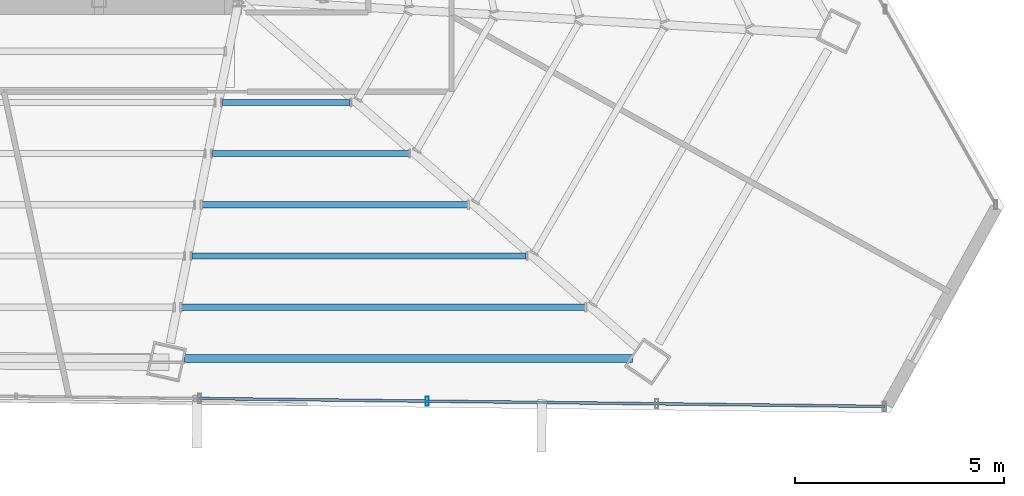
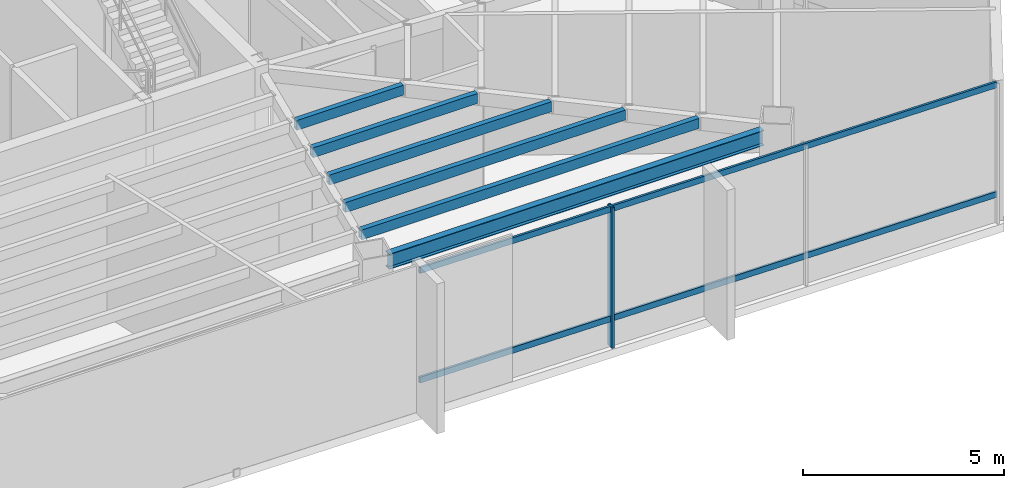
# One storey, part 17 of 37: 6 beams, 3 members, 1 element without a shape of its own.
"""IFC4 building model written with IfcOpenShell, lengths in metres."""

from ifc_helpers import new_model, si_unit, direction, frame, origin, origin_2d, place, context, subcontext, project, spatial, hollow_rectangle, i_section, extrude, source, transform, mapped, material, material_profile, profile_set, type_object, type_shapes, element, aggregate, save


model = new_model("IFC4")

# Units and contexts
model_context = context("Model", 3, precision=1e-05, world=origin(), true_north=direction((0.0, 1.0)))
body_context = subcontext(model_context, "Body", "Model", "MODEL_VIEW")
ifc_project = project(units=[si_unit("LENGTHUNIT", "METRE"), si_unit("AREAUNIT", "SQUARE_METRE"), si_unit("VOLUMEUNIT", "CUBIC_METRE"), si_unit("PLANEANGLEUNIT", "RADIAN"), si_unit("MASSUNIT", "GRAM", prefix="KILO")], contexts=[model_context])

# Site, building, storey
site_placement = place(None, origin())
site = spatial("IfcSite", under=ifc_project, at=site_placement, CompositionType="ELEMENT")
building_placement = place(site_placement, origin())
building = spatial("IfcBuilding", under=site, at=building_placement, Name="Caelisora Broadcast Tower", CompositionType="ELEMENT")
storey_placement = place(building_placement, frame((0.0, 0.0, 225.35009765625)))
storey = spatial("IfcBuildingStorey", under=building, at=storey_placement, Name="L59", CompositionType="ELEMENT", Elevation=225.35009765625)

# Beams
ifc_material_1 = material(Name="Steel Grade 350 (AS/NZS 3679.1)", Category="steel")
ifc_material_profile_1 = material_profile(ifc_material_1, i_section(OverallWidth=0.19091796875, OverallDepth=0.46044921875, WebThickness=0.010009765625, FlangeThickness=0.01611328125, at=origin_2d()), Name="Steel Grade 350 (AS/NZS 3679.1)")
ifc_profile_set_1 = profile_set([ifc_material_profile_1], Name="Steel Grade 350 (AS/NZS 3679.1)")
beam_type_1 = type_object("IfcBeamType", Name="PG06", PredefinedType="BEAM", material=ifc_profile_set_1)
shared_shape_1 = source(origin(), body_context, "Body", "SweptSolid", [
    extrude(i_section(OverallWidth=0.19091796875, OverallDepth=0.46044921875, WebThickness=0.010009765625, FlangeThickness=0.01611328125, at=origin_2d()), origin(), (0.0, 0.0, 1.0), 10.73876953125),
])
type_shapes(beam_type_1, [shared_shape_1])
beam_1_placement = place(storey_placement, frame((44.201416015625, 8.805908203125, 4.019775390625), z_axis=(1.0, 0.0, 0.0), x_axis=(0.0, 1.0, 0.0)))
element("IfcBeam", 1, at=beam_1_placement, inside=storey, type_object=beam_type_1, Name="L59 beam PG06", PredefinedType="BEAM", context=body_context, shape_type="MappedRepresentation", body=[
    mapped(shared_shape_1, transform((0.0, 0.0, 0.0), scale=1.0)),
])
ifc_material_2 = material(Name="Steel Grade 350 (AS/NZS 1163 C350L0)", Category="steel")
ifc_material_profile_2 = material_profile(ifc_material_2, hollow_rectangle(XDim=0.14990234375, YDim=0.300048828125, WallThickness=0.010009765625, at=origin_2d()), Name="Steel Grade 350 (AS/NZS 1163 C350L0)")
ifc_profile_set_2 = profile_set([ifc_material_profile_2], Name="Steel Grade 350 (AS/NZS 1163 C350L0)")
beam_type_2 = type_object("IfcBeamType", Name="SB05", PredefinedType="JOIST", material=ifc_profile_set_2)
shared_shape_2 = source(origin(), body_context, "Body", "SweptSolid", [
    extrude(hollow_rectangle(XDim=0.14990234375, YDim=0.300048828125, WallThickness=0.010009765625, at=origin_2d()), origin(), (0.0, 0.0, 1.0), 3.057861328125),
])
beam_2_placement = place(storey_placement, frame((45.109130859375, 14.944580078125, 4.099853515625), z_axis=(1.0, 0.0, 0.0), x_axis=(0.0, 1.0, 0.0)))
element("IfcBeam", 2, at=beam_2_placement, inside=storey, type_object=beam_type_2, Name="L59 beam SB05", PredefinedType="JOIST", context=body_context, shape_type="MappedRepresentation", body=[
    mapped(shared_shape_2, transform((0.0, 0.0, 0.0), scale=1.0)),
])
shared_shape_3 = source(origin(), body_context, "Body", "SweptSolid", [
    extrude(hollow_rectangle(XDim=0.14990234375, YDim=0.300048828125, WallThickness=0.010009765625, at=origin_2d()), origin(), (0.0, 0.0, 1.0), 4.710693359375),
])
beam_3_placement = place(storey_placement, frame((44.8642578125, 13.716796875, 4.099853515625), z_axis=(1.0, 0.0, 0.0), x_axis=(0.0, 1.0, 0.0)))
element("IfcBeam", 3, at=beam_3_placement, inside=storey, type_object=beam_type_2, Name="L59 beam SB05", PredefinedType="JOIST", context=body_context, shape_type="MappedRepresentation", body=[
    mapped(shared_shape_3, transform((0.0, 0.0, 0.0), scale=1.0)),
])
shared_shape_4 = source(origin(), body_context, "Body", "SweptSolid", [
    extrude(hollow_rectangle(XDim=0.14990234375, YDim=0.300048828125, WallThickness=0.010009765625, at=origin_2d()), origin(), (0.0, 0.0, 1.0), 6.36376953125),
])
beam_4_placement = place(storey_placement, frame((44.619140625, 12.489013671875, 4.099853515625), z_axis=(1.0, 0.0, 0.0), x_axis=(0.0, 1.0, 0.0)))
element("IfcBeam", 4, at=beam_4_placement, inside=storey, type_object=beam_type_2, Name="L59 beam SB05", PredefinedType="JOIST", context=body_context, shape_type="MappedRepresentation", body=[
    mapped(shared_shape_4, transform((0.0, 0.0, 0.0), scale=1.0)),
])
shared_shape_5 = source(origin(), body_context, "Body", "SweptSolid", [
    extrude(hollow_rectangle(XDim=0.14990234375, YDim=0.300048828125, WallThickness=0.010009765625, at=origin_2d()), origin(), (0.0, 0.0, 1.0), 8.016845703125),
])
beam_5_placement = place(storey_placement, frame((44.374267578125, 11.261474609375, 4.099853515625), z_axis=(1.0, 0.0, 0.0), x_axis=(0.0, 1.0, 0.0)))
element("IfcBeam", 5, at=beam_5_placement, inside=storey, type_object=beam_type_2, Name="L59 beam SB05", PredefinedType="JOIST", context=body_context, shape_type="MappedRepresentation", body=[
    mapped(shared_shape_5, transform((0.0, 0.0, 0.0), scale=1.0)),
])
shared_shape_6 = source(origin(), body_context, "Body", "SweptSolid", [
    extrude(hollow_rectangle(XDim=0.14990234375, YDim=0.300048828125, WallThickness=0.010009765625, at=origin_2d()), origin(), (0.0, 0.0, 1.0), 9.669677734375),
])
type_shapes(beam_type_2, [shared_shape_2, shared_shape_3, shared_shape_4, shared_shape_5, shared_shape_6])
beam_6_placement = place(storey_placement, frame((44.12939453125, 10.03369140625, 4.099853515625), z_axis=(1.0, 0.0, 0.0), x_axis=(0.0, 1.0, 0.0)))
element("IfcBeam", 6, at=beam_6_placement, inside=storey, type_object=beam_type_2, Name="L59 beam SB05", PredefinedType="JOIST", context=body_context, shape_type="MappedRepresentation", body=[
    mapped(shared_shape_6, transform((0.0, 0.0, 0.0), scale=1.0)),
])

# Curtain wall, members
ifc_material_3 = material(Name="Unitised Aluminium and Low-E Glass Curtain Wall", Category="glass")
curtain_wall_type = type_object("IfcCurtainWallType", Name="CW-SKY", PredefinedType="NOTDEFINED", material=ifc_material_3)
curtain_wall_placement = place(storey_placement, origin())
curtain_wall = element("IfcCurtainWall", 7, at=curtain_wall_placement, inside=storey, type_object=curtain_wall_type, Name="L59 curtain wall CW-SKY", PredefinedType="NOTDEFINED")
ifc_material_4 = material(Name="Aluminium 6063-T6 Anodised Terracotta Bronze", Category="aluminium")
ifc_material_profile_3 = material_profile(ifc_material_4, hollow_rectangle(XDim=0.074951171875, YDim=0.219970703125, WallThickness=0.00390625, at=origin_2d()), Name="Aluminium 6063-T6 Anodised Terracotta Bronze")
ifc_profile_set_3 = profile_set([ifc_material_profile_3], Name="Aluminium 6063-T6 Anodised Terracotta Bronze")
member_type_1 = type_object("IfcMemberType", Name="CWM-01", PredefinedType="MULLION", material=ifc_profile_set_3)
shared_shape_7 = source(origin(), body_context, "Body", "SweptSolid", [
    extrude(hollow_rectangle(XDim=0.074951171875, YDim=0.219970703125, WallThickness=0.00390625, at=origin_2d()), origin(), (0.0, 0.0, 1.0), 4.25),
])
type_shapes(member_type_1, [shared_shape_7])
member_1_placement = place(storey_placement, frame((50.016357421875, 7.78271484375, 0.0), z_axis=(0.0, 0.0, 1.0), x_axis=(1.0, 0.0, 0.0)))
member_1 = element("IfcMember", 8, at=member_1_placement, type_object=member_type_1, Name="L59-CW-B05 mullion #2", PredefinedType="MULLION", context=body_context, shape_type="MappedRepresentation", body=[
    mapped(shared_shape_7, transform((0.0, 0.0, 0.0), scale=1.0)),
])
ifc_material_profile_4 = material_profile(ifc_material_4, hollow_rectangle(XDim=0.06494140625, YDim=0.179931640625, WallThickness=0.00341796875, at=origin_2d()), Name="Aluminium 6063-T6 Anodised Terracotta Bronze")
ifc_profile_set_4 = profile_set([ifc_material_profile_4], Name="Aluminium 6063-T6 Anodised Terracotta Bronze")
member_type_2 = type_object("IfcMemberType", Name="CWT-01", PredefinedType="USERDEFINED", material=ifc_profile_set_4)
shared_shape_8 = source(origin(), body_context, "Body", "SweptSolid", [
    extrude(hollow_rectangle(XDim=0.06494140625, YDim=0.179931640625, WallThickness=0.00341796875, at=origin_2d()), origin(), (0.0, 0.0, 1.0), 16.420166015625),
])
type_shapes(member_type_2, [shared_shape_8])
member_2_placement = place(storey_placement, frame((60.97900390625, 7.655517578125, 0.849853515625), z_axis=(-0.999932575499, 0.011612254527, 0.0), x_axis=(-0.011612254527, -0.999932575499, 0.0)))
member_2 = element("IfcMember", 9, at=member_2_placement, type_object=member_type_2, Name="L59-CW-B05 transom #1", ObjectType="TRANSOM", PredefinedType="USERDEFINED", context=body_context, shape_type="MappedRepresentation", body=[
    mapped(shared_shape_8, transform((0.0, 0.0, 0.0), scale=1.0)),
])
member_3_placement = place(storey_placement, frame((60.97900390625, 7.655517578125, 4.169921875), z_axis=(-0.999932575499, 0.011612254527, 0.0), x_axis=(-0.011612254527, -0.999932575499, 0.0)))
member_3 = element("IfcMember", 10, at=member_3_placement, type_object=member_type_2, Name="L59-CW-B05 transom #2", ObjectType="TRANSOM", PredefinedType="USERDEFINED", context=body_context, shape_type="MappedRepresentation", body=[
    mapped(shared_shape_8, transform((0.0, 0.0, 0.0), scale=1.0)),
])
aggregate(curtain_wall, [member_1, member_2, member_3])

save(model, "model.ifc")
